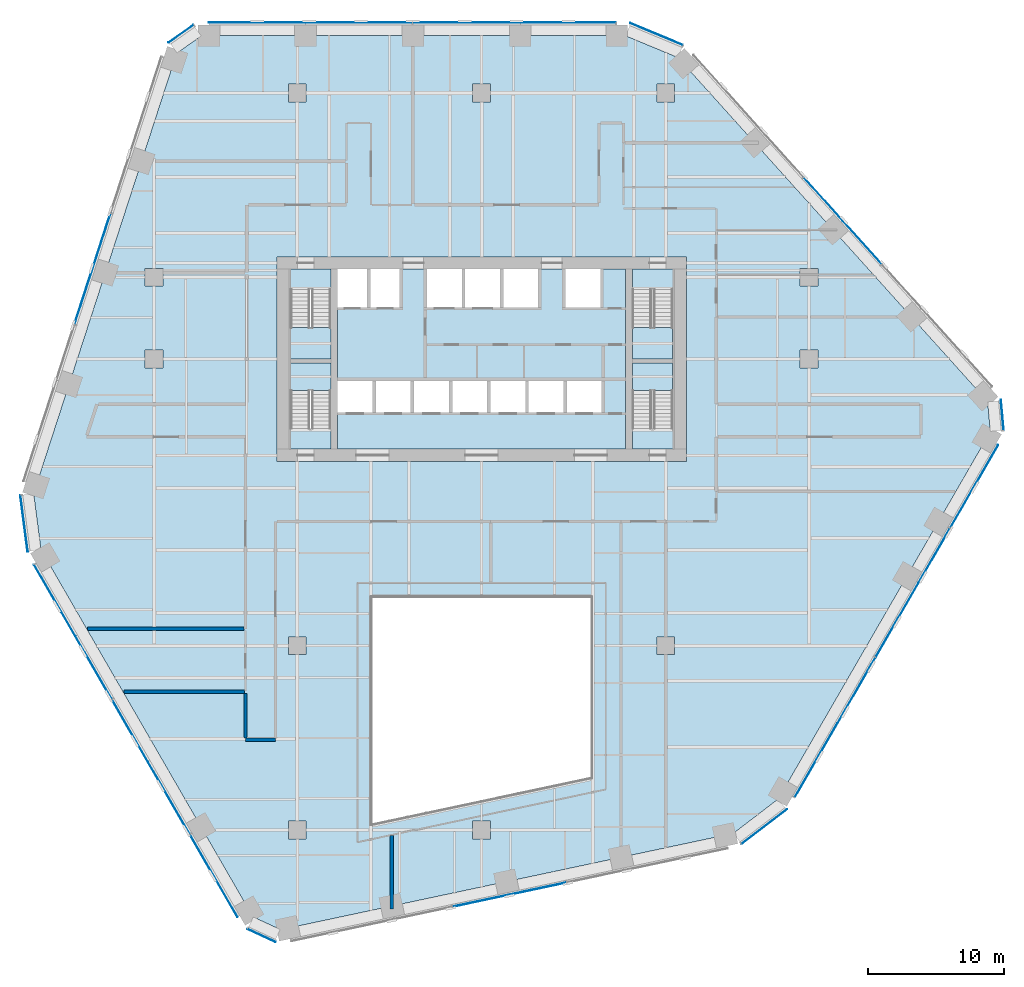
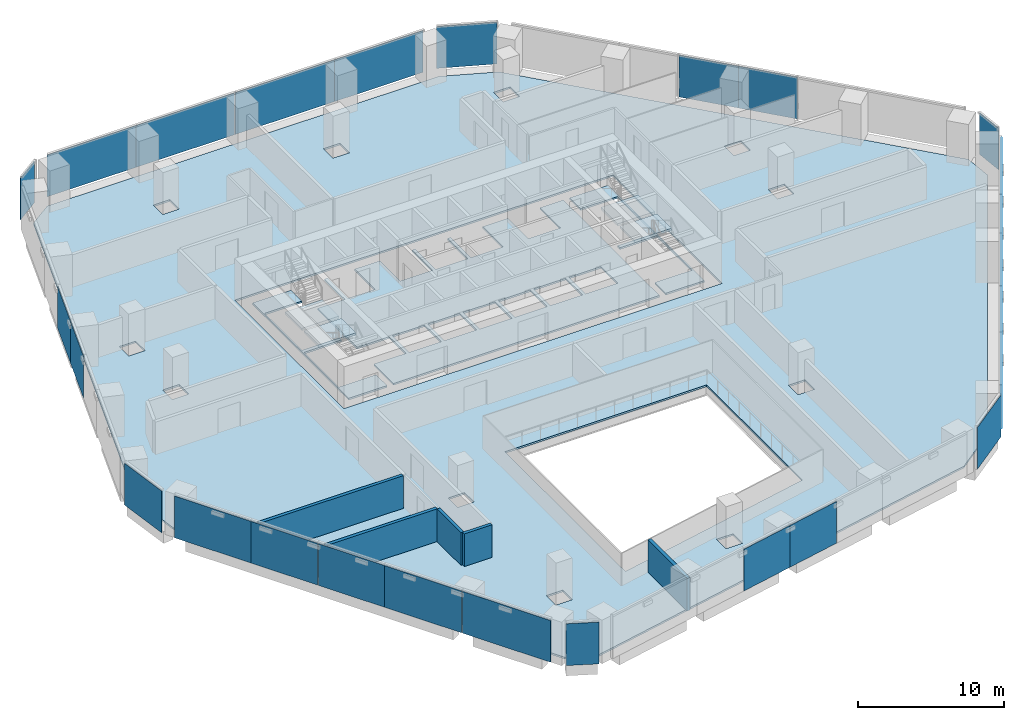
# One storey, part 13 of 21: 26 plates, 8 slabs, 5 walls, 16 elements without a shape of their own.
"""IFC4 building model written with IfcOpenShell, lengths in metres."""

from ifc_helpers import new_model, si_unit, direction, frame, frame_2d, origin, origin_2d, place, context, subcontext, project, spatial, polyline, rectangle, outline, extrude, material, layer, layer_set, type_object, element, aggregate, save


model = new_model("IFC4")

# Units and contexts
model_context = context("Model", 3, precision=1e-05, world=origin(), true_north=direction((0.0, 1.0)))
body_context = subcontext(model_context, "Body", "Model", "MODEL_VIEW")
ifc_project = project(units=[si_unit("LENGTHUNIT", "METRE"), si_unit("AREAUNIT", "SQUARE_METRE"), si_unit("VOLUMEUNIT", "CUBIC_METRE"), si_unit("PLANEANGLEUNIT", "RADIAN"), si_unit("MASSUNIT", "GRAM", prefix="KILO")], contexts=[model_context])

# Site, building, storey
site_placement = place(None, origin())
site = spatial("IfcSite", under=ifc_project, at=site_placement, CompositionType="ELEMENT")
building_placement = place(site_placement, origin())
building = spatial("IfcBuilding", under=site, at=building_placement, Name="Isthmus Gate Tower", CompositionType="ELEMENT")
storey_placement = place(building_placement, frame((0.0, 0.0, 109.85009765625)))
storey = spatial("IfcBuildingStorey", under=building, at=storey_placement, Name="L26", CompositionType="ELEMENT", Elevation=109.85009765625)

# Slabs
ifc_material_1 = material(Name="Concrete f'c 40 MPa", Category="concrete")
ifc_layer_1 = layer(ifc_material_1, 0.14990234375)
ifc_layer_set_1 = layer_set([ifc_layer_1], Name="COMPOSITE FLOOR SLAB 150")
slab_type_1 = type_object("IfcSlabType", Name="COMPOSITE FLOOR SLAB 150", PredefinedType="FLOOR", material=ifc_layer_set_1)
slab_1_placement = place(storey_placement, frame((0.0, 0.0, -0.150146484375)))
element("IfcSlab", 1, at=slab_1_placement, inside=storey, type_object=slab_type_1, Name="str-slab-L26-1", PredefinedType="FLOOR", context=body_context, shape_type="SweptSolid", body=[
    extrude(outline(polyline([(14.391357421875, 29.599365234375), (37.081787109375, 4.399169921875), (37.281494140625, 2.17333984375), (21.748779296875, -24.729736328125), (18.438232421875, -27.262939453125), (-14.73095703125, -34.313232421875), (-16.758544921875, -33.373291015625), (-32.291015625, -6.47021484375), (-32.82958984375, -2.33642578125), (-22.3505859375, 29.9140625), (-20.52294921875, 31.199951171875), (10.542236328125, 31.199951171875), (14.391357421875, 29.599365234375)]), holes=[polyline([(-14.14990234375, -27.64990234375), (-12.85009765625, -27.64990234375), (-12.85009765625, -26.35009765625), (-14.14990234375, -26.35009765625), (-14.14990234375, -27.64990234375)]), polyline([(-0.64990234375, -26.35009765625), (-0.64990234375, -27.64990234375), (0.64990234375, -27.64990234375), (0.64990234375, -26.35009765625), (-0.64990234375, -26.35009765625)]), polyline([(-14.14990234375, -12.85009765625), (-14.14990234375, -14.14990234375), (-12.85009765625, -14.14990234375), (-12.85009765625, -12.85009765625), (-14.14990234375, -12.85009765625)]), polyline([(-24.64990234375, 8.14990234375), (-24.64990234375, 6.85009765625), (-23.35009765625, 6.85009765625), (-23.35009765625, 8.14990234375), (-24.64990234375, 8.14990234375)]), polyline([(-23.35009765625, 14.14990234375), (-24.64990234375, 14.14990234375), (-24.64990234375, 12.85009765625), (-23.35009765625, 12.85009765625), (-23.35009765625, 14.14990234375)]), polyline([(-14.14990234375, 27.64990234375), (-14.14990234375, 26.35009765625), (-12.85009765625, 26.35009765625), (-12.85009765625, 27.64990234375), (-14.14990234375, 27.64990234375)]), polyline([(-0.64990234375, 27.64990234375), (-0.64990234375, 26.35009765625), (0.64990234375, 26.35009765625), (0.64990234375, 27.64990234375), (-0.64990234375, 27.64990234375)]), polyline([(8.0, -23.143310546875), (8.0, -10.0), (-8.0, -10.0), (-8.0, -26.544189453125), (8.0, -23.143310546875)]), polyline([(14.14990234375, -12.85009765625), (12.85009765625, -12.85009765625), (12.85009765625, -14.14990234375), (14.14990234375, -14.14990234375), (14.14990234375, -12.85009765625)]), polyline([(15.0, 15.0), (-15.0, 15.0), (-15.0, 0.0), (15.0, 0.0), (15.0, 15.0)]), polyline([(24.64990234375, 8.14990234375), (23.35009765625, 8.14990234375), (23.35009765625, 6.85009765625), (24.64990234375, 6.85009765625), (24.64990234375, 8.14990234375)]), polyline([(23.35009765625, 14.14990234375), (23.35009765625, 12.85009765625), (24.64990234375, 12.85009765625), (24.64990234375, 14.14990234375), (23.35009765625, 14.14990234375)]), polyline([(14.14990234375, 27.64990234375), (12.85009765625, 27.64990234375), (12.85009765625, 26.35009765625), (14.14990234375, 26.35009765625), (14.14990234375, 27.64990234375)])]), origin(), (0.0, 0.0, 1.0), 0.150146484375),
])
ifc_material_2 = material(Name="Concrete f'c 40 MPa", Category="concrete")
ifc_layer_2 = layer(ifc_material_2, 0.14990234375)
ifc_layer_set_2 = layer_set([ifc_layer_2], Name="CORE FLOOR SLAB 150")
slab_type_2 = type_object("IfcSlabType", Name="CORE FLOOR SLAB 150", PredefinedType="FLOOR", material=ifc_layer_set_2)
slab_2_placement = place(storey_placement, frame((0.0, 0.0, -0.150146484375)))
element("IfcSlab", 2, at=slab_2_placement, inside=storey, type_object=slab_type_2, Name="L26 core floor", PredefinedType="FLOOR", context=body_context, shape_type="SweptSolid", body=[
    extrude(outline(polyline([(-11.050048828125, 0.89990234375), (-11.050048828125, 2.402099609375), (-14.0, 2.402099609375), (-14.0, 7.199951171875), (-11.050048828125, 7.199951171875), (-11.050048828125, 7.5), (-14.0, 7.5), (-14.0, 12.597900390625), (-11.050048828125, 12.597900390625), (-11.050048828125, 14.10009765625), (-14.10009765625, 14.10009765625), (-14.10009765625, 0.89990234375), (-11.050048828125, 0.89990234375)])), origin(), (0.0, 0.0, 1.0), 0.150146484375),
])
slab_3_placement = place(storey_placement, frame((0.0, 0.0, -0.150146484375)))
element("IfcSlab", 3, at=slab_3_placement, inside=storey, type_object=slab_type_2, Name="L26 core floor", PredefinedType="FLOOR", context=body_context, shape_type="SweptSolid", body=[
    extrude(outline(polyline([(10.550048828125, 14.10009765625), (8.699951171875, 14.10009765625), (8.699951171875, 11.300048828125), (6.14990234375, 11.300048828125), (6.14990234375, 14.10009765625), (4.14990234375, 14.10009765625), (4.14990234375, 11.300048828125), (1.60009765625, 11.300048828125), (1.60009765625, 14.10009765625), (1.35009765625, 14.10009765625), (1.35009765625, 11.300048828125), (-1.199951171875, 11.300048828125), (-1.199951171875, 14.10009765625), (-1.449951171875, 14.10009765625), (-1.449951171875, 11.300048828125), (-4.0, 11.300048828125), (-4.0, 14.10009765625), (-6.0, 14.10009765625), (-6.0, 11.300048828125), (-8.14990234375, 11.300048828125), (-8.14990234375, 14.10009765625), (-8.39990234375, 14.10009765625), (-8.39990234375, 11.300048828125), (-10.550048828125, 11.300048828125), (-10.550048828125, 5.89990234375), (-8.0, 5.89990234375), (-8.0, 3.60009765625), (-10.550048828125, 3.60009765625), (-10.550048828125, 0.89990234375), (10.550048828125, 0.89990234375), (10.550048828125, 14.10009765625)]), holes=[polyline([(-5.199951171875, 5.89990234375), (-5.199951171875, 3.60009765625), (-7.75, 3.60009765625), (-7.75, 5.89990234375), (-5.199951171875, 5.89990234375)]), polyline([(-2.39990234375, 5.89990234375), (-2.39990234375, 3.60009765625), (-4.949951171875, 3.60009765625), (-4.949951171875, 5.89990234375), (-2.39990234375, 5.89990234375)]), polyline([(0.39990234375, 5.89990234375), (0.39990234375, 3.60009765625), (-2.14990234375, 3.60009765625), (-2.14990234375, 5.89990234375), (0.39990234375, 5.89990234375)]), polyline([(3.199951171875, 5.89990234375), (3.199951171875, 3.60009765625), (0.64990234375, 3.60009765625), (0.64990234375, 5.89990234375), (3.199951171875, 5.89990234375)]), polyline([(6.0, 5.89990234375), (6.0, 3.60009765625), (3.449951171875, 3.60009765625), (3.449951171875, 5.89990234375), (6.0, 5.89990234375)]), polyline([(8.800048828125, 5.89990234375), (8.800048828125, 3.60009765625), (6.25, 3.60009765625), (6.25, 5.89990234375), (8.800048828125, 5.89990234375)])]), origin(), (0.0, 0.0, 1.0), 0.150146484375),
])
slab_4_placement = place(storey_placement, frame((0.0, 0.0, -0.150146484375)))
element("IfcSlab", 4, at=slab_4_placement, inside=storey, type_object=slab_type_2, Name="L26 core floor", PredefinedType="FLOOR", context=body_context, shape_type="SweptSolid", body=[
    extrude(outline(polyline([(11.050048828125, 14.10009765625), (11.050048828125, 12.597900390625), (14.0, 12.597900390625), (14.0, 7.5), (11.050048828125, 7.5), (11.050048828125, 7.199951171875), (14.0, 7.199951171875), (14.0, 2.402099609375), (11.050048828125, 2.402099609375), (11.050048828125, 0.89990234375), (14.10009765625, 0.89990234375), (14.10009765625, 14.10009765625), (11.050048828125, 14.10009765625)])), origin(), (0.0, 0.0, 1.0), 0.150146484375),
])

# Curtain wall, plates
ifc_material_3 = material(Name="Aluminium, pale champagne anodised", Category="aluminium")
ifc_layer_3 = layer(ifc_material_3, 0.199951171875)
ifc_layer_set_3 = layer_set([ifc_layer_3], Name="CW-1 UNITISED CURTAIN WALL 200 DEEP")
curtain_wall_type = type_object("IfcCurtainWallType", Name="CW-1 UNITISED CURTAIN WALL 200 DEEP", PredefinedType="NOTDEFINED", material=ifc_layer_set_3)
curtain_wall_1_placement = place(storey_placement, origin())
curtain_wall_1 = element("IfcCurtainWall", 5, at=curtain_wall_1_placement, inside=storey, type_object=curtain_wall_type, Name="CW-1 N L26", PredefinedType="NOTDEFINED")
ifc_material_4 = material(Name="Laminated low-iron glass, pale blue tint", Category="glass")
ifc_layer_4 = layer(ifc_material_4, 0.0400390625)
ifc_layer_set_4 = layer_set([ifc_layer_4], Name="CW-1 CLEAR GLASS LITE 40")
plate_type = type_object("IfcPlateType", Name="CW-1 CLEAR GLASS LITE 40", PredefinedType="CURTAIN_PANEL", material=ifc_layer_set_4)
plate_1_placement = place(storey_placement, frame((6.337158203125, 32.179931640625, 0.0), z_axis=(0.0, 0.0, 1.0), x_axis=(-1.0, 0.0, 0.0)))
plate_1 = element("IfcPlate", 6, at=plate_1_placement, type_object=plate_type, Name="CW-1 glass lite", PredefinedType="CURTAIN_PANEL", context=body_context, shape_type="SweptSolid", body=[
    extrude(rectangle(XDim=7.009521484375, YDim=0.0400390625, at=origin_2d()), origin(), (0.0, 0.0, 1.0), 3.5),
])
plate_2_placement = place(storey_placement, frame((-1.1025390625, 32.179931640625, 0.0), z_axis=(0.0, 0.0, 1.0), x_axis=(-1.0, 0.0, 0.0)))
plate_2 = element("IfcPlate", 7, at=plate_2_placement, type_object=plate_type, Name="CW-1 glass lite", PredefinedType="CURTAIN_PANEL", context=body_context, shape_type="SweptSolid", body=[
    extrude(rectangle(XDim=7.86962890625, YDim=0.0400390625, at=origin_2d()), origin(), (0.0, 0.0, 1.0), 3.5),
])
plate_3_placement = place(storey_placement, frame((-9.001953125, 32.179931640625, 0.0), z_axis=(0.0, 0.0, 1.0), x_axis=(-1.0, 0.0, 0.0)))
plate_3 = element("IfcPlate", 8, at=plate_3_placement, type_object=plate_type, Name="CW-1 glass lite", PredefinedType="CURTAIN_PANEL", context=body_context, shape_type="SweptSolid", body=[
    extrude(rectangle(XDim=7.8095703125, YDim=0.0400390625, at=origin_2d()), origin(), (0.0, 0.0, 1.0), 3.5),
])
plate_4_placement = place(storey_placement, frame((-16.44140625, 32.179931640625, 0.0), z_axis=(0.0, 0.0, 1.0), x_axis=(-1.0, 0.0, 0.0)))
plate_4 = element("IfcPlate", 9, at=plate_4_placement, type_object=plate_type, Name="CW-1 glass lite", PredefinedType="CURTAIN_PANEL", context=body_context, shape_type="SweptSolid", body=[
    extrude(rectangle(XDim=7.069580078125, YDim=0.0400390625, at=origin_2d()), origin(), (0.0, 0.0, 1.0), 3.5),
])
aggregate(curtain_wall_1, [plate_1, plate_2, plate_3, plate_4])

# Curtain wall, plate
curtain_wall_2_placement = place(storey_placement, origin())
curtain_wall_2 = element("IfcCurtainWall", 10, at=curtain_wall_2_placement, inside=storey, type_object=curtain_wall_type, Name="CW-1 N-NW L26", PredefinedType="NOTDEFINED")
plate_5_placement = place(storey_placement, frame((-22.025146484375, 31.341552734375, 0.0), z_axis=(0.0, 0.0, 1.0), x_axis=(-0.81785959165, -0.57541783805, 0.0)))
plate_5 = element("IfcPlate", 11, at=plate_5_placement, type_object=plate_type, Name="CW-1 glass lite", PredefinedType="CURTAIN_PANEL", context=body_context, shape_type="SweptSolid", body=[
    extrude(rectangle(XDim=2.258544921875, YDim=0.0400390625, at=origin_2d()), origin(), (0.0, 0.0, 1.0), 3.5),
])
aggregate(curtain_wall_2, [plate_5])

# Curtain wall, plates
curtain_wall_3_placement = place(storey_placement, origin())
curtain_wall_3 = element("IfcCurtainWall", 12, at=curtain_wall_3_placement, inside=storey, type_object=curtain_wall_type, Name="CW-1 NW L26", PredefinedType="NOTDEFINED")
plate_6_placement = place(storey_placement, frame((-27.8544921875, 16.146484375, 0.0), z_axis=(0.0, 0.0, 1.0), x_axis=(-0.309016994375, -0.951056516295, 0.0)))
plate_6 = element("IfcPlate", 13, at=plate_6_placement, type_object=plate_type, Name="CW-1 glass lite", PredefinedType="CURTAIN_PANEL", context=body_context, shape_type="SweptSolid", body=[
    extrude(rectangle(XDim=4.234619140625, YDim=0.0400390625, at=origin_2d()), origin(), (0.0, 0.0, 1.0), 3.5),
])
plate_7_placement = place(storey_placement, frame((-29.17236328125, 12.09033203125, 0.0), z_axis=(0.0, 0.0, 1.0), x_axis=(-0.309016994375, -0.951056516295, 0.0)))
plate_7 = element("IfcPlate", 14, at=plate_7_placement, type_object=plate_type, Name="CW-1 glass lite", PredefinedType="CURTAIN_PANEL", context=body_context, shape_type="SweptSolid", body=[
    extrude(rectangle(XDim=4.294677734375, YDim=0.0400390625, at=origin_2d()), origin(), (0.0, 0.0, 1.0), 3.5),
])
aggregate(curtain_wall_3, [plate_6, plate_7])

# Curtain wall, plate
curtain_wall_4_placement = place(storey_placement, origin())
curtain_wall_4 = element("IfcCurtainWall", 15, at=curtain_wall_4_placement, inside=storey, type_object=curtain_wall_type, Name="CW-1 NW-SW L26", PredefinedType="NOTDEFINED")
plate_8_placement = place(storey_placement, frame((-33.5283203125, -4.558349609375, 0.0), z_axis=(0.0, 0.0, 1.0), x_axis=(0.129164534, -0.991623175988, 0.0)))
plate_8 = element("IfcPlate", 16, at=plate_8_placement, type_object=plate_type, Name="CW-1 glass lite", PredefinedType="CURTAIN_PANEL", context=body_context, shape_type="SweptSolid", body=[
    extrude(rectangle(XDim=4.181396484375, YDim=0.0400390625, at=origin_2d()), origin(), (0.0, 0.0, 1.0), 3.5),
])
aggregate(curtain_wall_4, [plate_8])

# Curtain wall, plates
curtain_wall_5_placement = place(storey_placement, origin())
curtain_wall_5 = element("IfcCurtainWall", 17, at=curtain_wall_5_placement, inside=storey, type_object=curtain_wall_type, Name="CW-1 SW L26", PredefinedType="NOTDEFINED")
plate_9_placement = place(storey_placement, frame((-31.277587890625, -10.185791015625, 0.0), z_axis=(0.0, 0.0, 1.0), x_axis=(0.5, -0.866025403784, 0.0)))
plate_9 = element("IfcPlate", 18, at=plate_9_placement, type_object=plate_type, Name="CW-1 glass lite", PredefinedType="CURTAIN_PANEL", context=body_context, shape_type="SweptSolid", body=[
    extrude(rectangle(XDim=6.048583984375, YDim=0.0400390625, at=origin_2d()), origin(), (0.0, 0.0, 1.0), 3.5),
])
plate_10_placement = place(storey_placement, frame((-28.438232421875, -15.103759765625, 0.0), z_axis=(0.0, 0.0, 1.0), x_axis=(0.5, -0.866025403784, 0.0)))
plate_10 = element("IfcPlate", 19, at=plate_10_placement, type_object=plate_type, Name="CW-1 glass lite", PredefinedType="CURTAIN_PANEL", context=body_context, shape_type="SweptSolid", body=[
    extrude(rectangle(XDim=5.30859375, YDim=0.0400390625, at=origin_2d()), origin(), (0.0, 0.0, 1.0), 3.5),
])
plate_11_placement = place(storey_placement, frame((-25.768798828125, -19.72705078125, 0.0), z_axis=(0.0, 0.0, 1.0), x_axis=(0.5, -0.866025403784, 0.0)))
plate_11 = element("IfcPlate", 20, at=plate_11_placement, type_object=plate_type, Name="CW-1 glass lite", PredefinedType="CURTAIN_PANEL", context=body_context, shape_type="SweptSolid", body=[
    extrude(rectangle(XDim=5.24853515625, YDim=0.0400390625, at=origin_2d()), origin(), (0.0, 0.0, 1.0), 3.5),
])
plate_12_placement = place(storey_placement, frame((-22.929443359375, -24.644775390625, 0.0), z_axis=(0.0, 0.0, 1.0), x_axis=(0.5, -0.866025403784, 0.0)))
plate_12 = element("IfcPlate", 21, at=plate_12_placement, type_object=plate_type, Name="CW-1 glass lite", PredefinedType="CURTAIN_PANEL", context=body_context, shape_type="SweptSolid", body=[
    extrude(rectangle(XDim=6.108642578125, YDim=0.0400390625, at=origin_2d()), origin(), (0.0, 0.0, 1.0), 3.5),
])
plate_13_placement = place(storey_placement, frame((-19.62646484375, -30.365966796875, 0.0), z_axis=(0.0, 0.0, 1.0), x_axis=(0.5, -0.866025403784, 0.0)))
plate_13 = element("IfcPlate", 22, at=plate_13_placement, type_object=plate_type, Name="CW-1 glass lite", PredefinedType="CURTAIN_PANEL", context=body_context, shape_type="SweptSolid", body=[
    extrude(rectangle(XDim=6.983642578125, YDim=0.0400390625, at=origin_2d()), origin(), (0.0, 0.0, 1.0), 3.5),
])
aggregate(curtain_wall_5, [plate_9, plate_10, plate_11, plate_12, plate_13])

# Curtain wall, plate
curtain_wall_6_placement = place(storey_placement, origin())
curtain_wall_6 = element("IfcCurtainWall", 23, at=curtain_wall_6_placement, inside=storey, type_object=curtain_wall_type, Name="CW-1 SW-S L26", PredefinedType="NOTDEFINED")
plate_14_placement = place(storey_placement, frame((-16.1298828125, -34.7451171875, 0.0), z_axis=(0.0, 0.0, 1.0), x_axis=(0.907256261367, -0.420578264073, 0.0)))
plate_14 = element("IfcPlate", 24, at=plate_14_placement, type_object=plate_type, Name="CW-1 glass lite", PredefinedType="CURTAIN_PANEL", context=body_context, shape_type="SweptSolid", body=[
    extrude(rectangle(XDim=2.258544921875, YDim=0.0400390625, at=origin_2d()), origin(), (0.0, 0.0, 1.0), 3.5),
])
aggregate(curtain_wall_6, [plate_14])

# Curtain wall, plates
curtain_wall_7_placement = place(storey_placement, origin())
curtain_wall_7 = element("IfcCurtainWall", 25, at=curtain_wall_7_placement, inside=storey, type_object=curtain_wall_type, Name="CW-1 S L26", PredefinedType="NOTDEFINED")
plate_15_placement = place(storey_placement, frame((-0.055908203125, -32.19580078125, 0.0), z_axis=(0.0, 0.0, 1.0), x_axis=(0.978147600734, 0.207911690818, 0.0)))
plate_15 = element("IfcPlate", 26, at=plate_15_placement, type_object=plate_type, Name="CW-1 glass lite", PredefinedType="CURTAIN_PANEL", context=body_context, shape_type="SweptSolid", body=[
    extrude(rectangle(XDim=4.234619140625, YDim=0.0400390625, at=origin_2d()), origin(), (0.0, 0.0, 1.0), 3.5),
])
plate_16_placement = place(storey_placement, frame((4.115478515625, -31.309326171875, 0.0), z_axis=(0.0, 0.0, 1.0), x_axis=(0.978147600734, 0.207911690818, 0.0)))
plate_16 = element("IfcPlate", 27, at=plate_16_placement, type_object=plate_type, Name="CW-1 glass lite", PredefinedType="CURTAIN_PANEL", context=body_context, shape_type="SweptSolid", body=[
    extrude(rectangle(XDim=4.294677734375, YDim=0.0400390625, at=origin_2d()), origin(), (0.0, 0.0, 1.0), 3.5),
])
aggregate(curtain_wall_7, [plate_15, plate_16])

# Curtain wall, plate
curtain_wall_8_placement = place(storey_placement, origin())
curtain_wall_8 = element("IfcCurtainWall", 28, at=curtain_wall_8_placement, inside=storey, type_object=curtain_wall_type, Name="CW-1 S-SE L26", PredefinedType="NOTDEFINED")
plate_17_placement = place(storey_placement, frame((20.711669921875, -26.75732421875, 0.0), z_axis=(0.0, 0.0, 1.0), x_axis=(0.794188594387, 0.607671355706, 0.0)))
plate_17 = element("IfcPlate", 29, at=plate_17_placement, type_object=plate_type, Name="CW-1 glass lite", PredefinedType="CURTAIN_PANEL", context=body_context, shape_type="SweptSolid", body=[
    extrude(rectangle(XDim=4.181396484375, YDim=0.0400390625, at=origin_2d()), origin(), (0.0, 0.0, 1.0), 3.5),
])
aggregate(curtain_wall_8, [plate_17])

# Curtain wall, plates
curtain_wall_9_placement = place(storey_placement, origin())
curtain_wall_9 = element("IfcCurtainWall", 30, at=curtain_wall_9_placement, inside=storey, type_object=curtain_wall_type, Name="CW-1 SE L26", PredefinedType="NOTDEFINED")
plate_18_placement = place(storey_placement, frame((24.517333984375, -21.89453125, 0.0), z_axis=(0.0, 0.0, 1.0), x_axis=(0.5, 0.866025403784, 0.0)))
plate_18 = element("IfcPlate", 31, at=plate_18_placement, type_object=plate_type, Name="CW-1 glass lite", PredefinedType="CURTAIN_PANEL", context=body_context, shape_type="SweptSolid", body=[
    extrude(rectangle(XDim=6.278564453125, YDim=0.0400390625, at=origin_2d()), origin(), (0.0, 0.0, 1.0), 3.5),
])
plate_19_placement = place(storey_placement, frame((27.4716796875, -16.777587890625, 0.0), z_axis=(0.0, 0.0, 1.0), x_axis=(0.5, 0.866025403784, 0.0)))
plate_19 = element("IfcPlate", 32, at=plate_19_placement, type_object=plate_type, Name="CW-1 glass lite", PredefinedType="CURTAIN_PANEL", context=body_context, shape_type="SweptSolid", body=[
    extrude(rectangle(XDim=5.53857421875, YDim=0.0400390625, at=origin_2d()), origin(), (0.0, 0.0, 1.0), 3.5),
])
plate_20_placement = place(storey_placement, frame((30.4560546875, -11.608642578125, 0.0), z_axis=(0.0, 0.0, 1.0), x_axis=(0.5, 0.866025403784, 0.0)))
plate_20 = element("IfcPlate", 33, at=plate_20_placement, type_object=plate_type, Name="CW-1 glass lite", PredefinedType="CURTAIN_PANEL", context=body_context, shape_type="SweptSolid", body=[
    extrude(rectangle(XDim=6.278564453125, YDim=0.0400390625, at=origin_2d()), origin(), (0.0, 0.0, 1.0), 3.5),
])
plate_21_placement = place(storey_placement, frame((33.173828125, -6.901123046875, 0.0), z_axis=(0.0, 0.0, 1.0), x_axis=(0.5, 0.866025403784, 0.0)))
plate_21 = element("IfcPlate", 34, at=plate_21_placement, type_object=plate_type, Name="CW-1 glass lite", PredefinedType="CURTAIN_PANEL", context=body_context, shape_type="SweptSolid", body=[
    extrude(rectangle(XDim=4.5927734375, YDim=0.0400390625, at=origin_2d()), origin(), (0.0, 0.0, 1.0), 3.5),
])
plate_22_placement = place(storey_placement, frame((36.1044921875, -1.8251953125, 0.0), z_axis=(0.0, 0.0, 1.0), x_axis=(0.5, 0.866025403784, 0.0)))
plate_22 = element("IfcPlate", 35, at=plate_22_placement, type_object=plate_type, Name="CW-1 glass lite", PredefinedType="CURTAIN_PANEL", context=body_context, shape_type="SweptSolid", body=[
    extrude(rectangle(XDim=7.009521484375, YDim=0.0400390625, at=origin_2d()), origin(), (0.0, 0.0, 1.0), 3.5),
])
aggregate(curtain_wall_9, [plate_18, plate_19, plate_20, plate_21, plate_22])

# Curtain wall, plate
curtain_wall_10_placement = place(storey_placement, origin())
curtain_wall_10 = element("IfcCurtainWall", 36, at=curtain_wall_10_placement, inside=storey, type_object=curtain_wall_type, Name="CW-1 SE-NE L26", PredefinedType="NOTDEFINED")
plate_23_placement = place(storey_placement, frame((38.155029296875, 3.403564453125, 0.0), z_axis=(0.0, 0.0, 1.0), x_axis=(-0.089396669717, 0.995996102123, 0.0)))
plate_23 = element("IfcPlate", 37, at=plate_23_placement, type_object=plate_type, Name="CW-1 glass lite", PredefinedType="CURTAIN_PANEL", context=body_context, shape_type="SweptSolid", body=[
    extrude(rectangle(XDim=2.258544921875, YDim=0.0400390625, at=origin_2d()), origin(), (0.0, 0.0, 1.0), 3.5),
])
aggregate(curtain_wall_10, [plate_23])

# Curtain wall, plates
curtain_wall_11_placement = place(storey_placement, origin())
curtain_wall_11 = element("IfcCurtainWall", 38, at=curtain_wall_11_placement, inside=storey, type_object=curtain_wall_type, Name="CW-1 NE L26", PredefinedType="NOTDEFINED")
plate_24_placement = place(storey_placement, frame((27.910400390625, 16.049560546875, 0.0), z_axis=(0.0, 0.0, 1.0), x_axis=(-0.669130606359, 0.743144825477, 0.0)))
plate_24 = element("IfcPlate", 39, at=plate_24_placement, type_object=plate_type, Name="CW-1 glass lite", PredefinedType="CURTAIN_PANEL", context=body_context, shape_type="SweptSolid", body=[
    extrude(rectangle(XDim=4.234619140625, YDim=0.0400390625, at=origin_2d()), origin(), (0.0, 0.0, 1.0), 3.5),
])
plate_25_placement = place(storey_placement, frame((25.056884765625, 19.21875, 0.0), z_axis=(0.0, 0.0, 1.0), x_axis=(-0.669130606359, 0.743144825477, 0.0)))
plate_25 = element("IfcPlate", 40, at=plate_25_placement, type_object=plate_type, Name="CW-1 glass lite", PredefinedType="CURTAIN_PANEL", context=body_context, shape_type="SweptSolid", body=[
    extrude(rectangle(XDim=4.294677734375, YDim=0.0400390625, at=origin_2d()), origin(), (0.0, 0.0, 1.0), 3.5),
])
aggregate(curtain_wall_11, [plate_24, plate_25])

# Curtain wall, plate
curtain_wall_12_placement = place(storey_placement, origin())
curtain_wall_12 = element("IfcCurtainWall", 41, at=curtain_wall_12_placement, inside=storey, type_object=curtain_wall_type, Name="CW-1 NE-N L26", PredefinedType="NOTDEFINED")
plate_26_placement = place(storey_placement, frame((12.816650390625, 31.315673828125, 0.0), z_axis=(0.0, 0.0, 1.0), x_axis=(-0.923353128387, 0.383951820282, 0.0)))
plate_26 = element("IfcPlate", 42, at=plate_26_placement, type_object=plate_type, Name="CW-1 glass lite", PredefinedType="CURTAIN_PANEL", context=body_context, shape_type="SweptSolid", body=[
    extrude(rectangle(XDim=4.181396484375, YDim=0.0400390625, at=origin_2d()), origin(), (0.0, 0.0, 1.0), 3.5),
])
aggregate(curtain_wall_12, [plate_26])

# Stair, slab
ifc_material_5 = material(Name="Concrete f'c 40 MPa", Category="concrete")
stair_type = type_object("IfcStairType", Name="CORE STAIR 22 RISERS", PredefinedType="HALF_TURN_STAIR", material=ifc_material_5)
stair_1_placement = place(storey_placement, origin())
stair_1 = element("IfcStair", 43, at=stair_1_placement, inside=storey, type_object=stair_type, Name="L26 Exit Stair 1", PredefinedType="HALF_TURN_STAIR")
ifc_material_6 = material(Name="Concrete f'c 40 MPa", Category="concrete")
ifc_layer_5 = layer(ifc_material_6, 0.199951171875)
ifc_layer_set_5 = layer_set([ifc_layer_5])
slab_type_3 = type_object("IfcSlabType", Name="STAIR LANDING RC 200", PredefinedType="LANDING", material=ifc_layer_set_5)
slab_5_placement = place(storey_placement, frame((0.0, 0.0, 1.625)))
slab_5 = element("IfcSlab", 44, at=slab_5_placement, type_object=slab_type_3, Name="ST1 landing 1", PredefinedType="LANDING", context=body_context, shape_type="SweptSolid", body=[
    extrude(outline(polyline([(-14.0, 9.800048828125), (-14.0, 7.5), (-11.050048828125, 7.5), (-11.050048828125, 9.800048828125), (-14.0, 9.800048828125)])), origin(), (0.0, 0.0, 1.0), 0.199951171875),
])
aggregate(stair_1, [slab_5])

stair_2_placement = place(storey_placement, origin())
stair_2 = element("IfcStair", 45, at=stair_2_placement, inside=storey, type_object=stair_type, Name="L26 Exit Stair 2", PredefinedType="HALF_TURN_STAIR")
slab_6_placement = place(storey_placement, frame((0.0, 0.0, 1.625)))
slab_6 = element("IfcSlab", 46, at=slab_6_placement, type_object=slab_type_3, Name="ST2 landing 1", PredefinedType="LANDING", context=body_context, shape_type="SweptSolid", body=[
    extrude(outline(polyline([(11.050048828125, 9.800048828125), (11.050048828125, 7.5), (14.0, 7.5), (14.0, 9.800048828125), (11.050048828125, 9.800048828125)])), origin(), (0.0, 0.0, 1.0), 0.199951171875),
])
aggregate(stair_2, [slab_6])

stair_3_placement = place(storey_placement, origin())
stair_3 = element("IfcStair", 47, at=stair_3_placement, inside=storey, type_object=stair_type, Name="L26 Exit Stair 7", PredefinedType="HALF_TURN_STAIR")
slab_7_placement = place(storey_placement, frame((0.0, 0.0, 1.625)))
slab_7 = element("IfcSlab", 48, at=slab_7_placement, type_object=slab_type_3, Name="ST7 landing 1", PredefinedType="LANDING", context=body_context, shape_type="SweptSolid", body=[
    extrude(outline(polyline([(-11.050048828125, 5.199951171875), (-11.050048828125, 7.199951171875), (-14.0, 7.199951171875), (-14.0, 5.199951171875), (-11.050048828125, 5.199951171875)])), origin(), (0.0, 0.0, 1.0), 0.199951171875),
])
aggregate(stair_3, [slab_7])

stair_4_placement = place(storey_placement, origin())
stair_4 = element("IfcStair", 49, at=stair_4_placement, inside=storey, type_object=stair_type, Name="L26 Exit Stair 8", PredefinedType="HALF_TURN_STAIR")
slab_8_placement = place(storey_placement, frame((0.0, 0.0, 1.625)))
slab_8 = element("IfcSlab", 50, at=slab_8_placement, type_object=slab_type_3, Name="ST8 landing 1", PredefinedType="LANDING", context=body_context, shape_type="SweptSolid", body=[
    extrude(outline(polyline([(14.0, 5.199951171875), (14.0, 7.199951171875), (11.050048828125, 7.199951171875), (11.050048828125, 5.199951171875), (14.0, 5.199951171875)])), origin(), (0.0, 0.0, 1.0), 0.199951171875),
])
aggregate(stair_4, [slab_8])

# Walls
ifc_material_7 = material(Name="Double-leaf acoustic stud wall, fire-rated", Category="gypsum")
ifc_layer_6 = layer(ifc_material_7, 0.25)
ifc_layer_set_6 = layer_set([ifc_layer_6], Name="ACOUSTIC WALL 250 60 MIN")
wall_type = type_object("IfcWallType", Name="ACOUSTIC WALL 250 60 MIN", PredefinedType="PARTITIONING", material=ifc_layer_set_6)
wall_1_placement = place(storey_placement, frame((-15.10009765625, -20.39990234375, 0.0), z_axis=(0.0, 0.0, 1.0), x_axis=(-1.0, 0.0, 0.0)))
element("IfcWall", 51, at=wall_1_placement, inside=storey, type_object=wall_type, Name="L26 Acoustic Wall 250 60 Min", PredefinedType="PARTITIONING", context=body_context, shape_type="SweptSolid", body=[
    extrude(rectangle(XDim=2.199951171875, YDim=0.25, at=frame_2d((1.10009765625, 0.0))), origin(), (0.0, 0.0, 1.0), 2.7412109375),
])
wall_2_placement = place(storey_placement, frame((-28.8759765625, -12.264892578125, 0.0), z_axis=(0.0, 0.0, 1.0), x_axis=(1.0, 0.0, 0.0)))
element("IfcWall", 52, at=wall_2_placement, inside=storey, type_object=wall_type, Name="L26 Acoustic Wall 250 60 Min", PredefinedType="PARTITIONING", context=body_context, shape_type="SweptSolid", body=[
    extrude(rectangle(XDim=11.450927734375, YDim=0.25, at=frame_2d((5.7255859375, 0.0))), origin(), (0.0, 0.0, 1.0), 2.7412109375),
])
wall_3_placement = place(storey_placement, frame((-26.221923828125, -16.862060546875, 0.0), z_axis=(0.0, 0.0, 1.0), x_axis=(1.0, 0.0, 0.0)))
element("IfcWall", 53, at=wall_3_placement, inside=storey, type_object=wall_type, Name="L26 Acoustic Wall 250 60 Min", PredefinedType="PARTITIONING", context=body_context, shape_type="SweptSolid", body=[
    extrude(rectangle(XDim=8.846923828125, YDim=0.25, at=frame_2d((4.42333984375, 0.0))), origin(), (0.0, 0.0, 1.0), 2.7412109375),
])
wall_4_placement = place(storey_placement, frame((-17.300048828125, -20.27490234375, 0.0), z_axis=(0.0, 0.0, 1.0), x_axis=(0.0, 1.0, 0.0)))
element("IfcWall", 54, at=wall_4_placement, inside=storey, type_object=wall_type, Name="L26 Acoustic Wall 250 60 Min", PredefinedType="PARTITIONING", context=body_context, shape_type="SweptSolid", body=[
    extrude(rectangle(XDim=3.287841796875, YDim=0.25, at=frame_2d((1.64404296875, 0.0))), origin(), (0.0, 0.0, 1.0), 2.7412109375),
])
wall_5_placement = place(storey_placement, frame((-6.590087890625, -32.787109375, 0.0), z_axis=(0.0, 0.0, 1.0), x_axis=(0.0, 1.0, 0.0)))
element("IfcWall", 55, at=wall_5_placement, inside=storey, type_object=wall_type, Name="L26 Acoustic Wall 250 60 Min", PredefinedType="PARTITIONING", context=body_context, shape_type="SweptSolid", body=[
    extrude(rectangle(XDim=5.3671875, YDim=0.25, at=frame_2d((2.68359375, 0.0))), origin(), (0.0, 0.0, 1.0), 2.7412109375),
])

save(model, "model.ifc")
